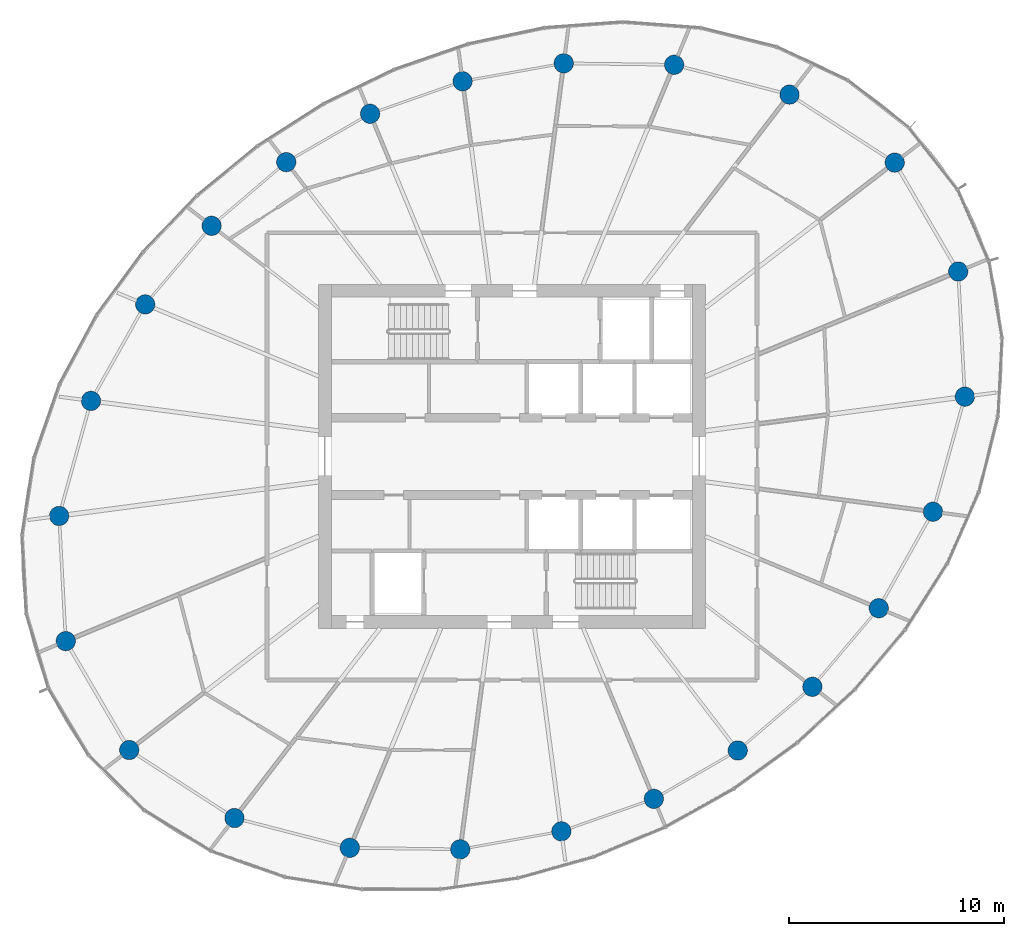
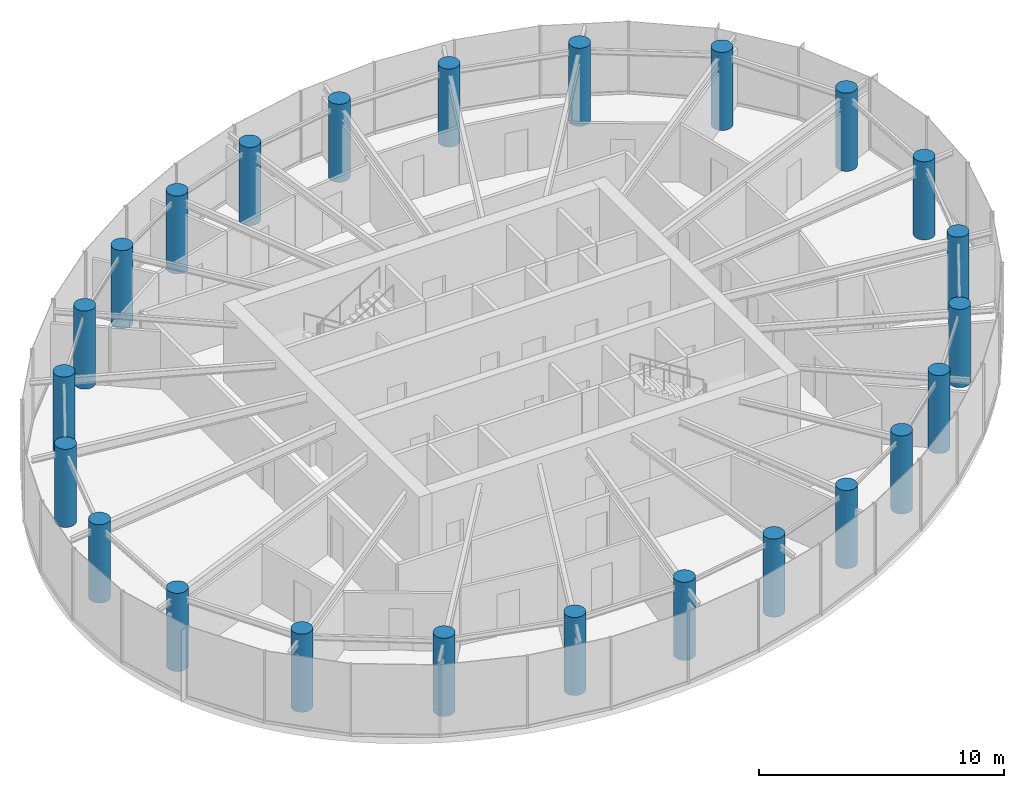
# One storey, part 1 of 14: 24 columns.
"""IFC4 building model written with IfcOpenShell, lengths in metres."""

from ifc_helpers import new_model, si_unit, direction, frame, origin, origin_2d, place, context, subcontext, project, spatial, circle, extrude, source, transform, mapped, material, material_profile, profile_set, type_object, element, save


model = new_model("IFC4")

# Units and contexts
model_context = context("Model", 3, precision=1e-05, world=origin(), true_north=direction((0.0, 1.0)))
body_context = subcontext(model_context, "Body", "Model", "MODEL_VIEW")
ifc_project = project(units=[si_unit("LENGTHUNIT", "METRE"), si_unit("AREAUNIT", "SQUARE_METRE"), si_unit("VOLUMEUNIT", "CUBIC_METRE"), si_unit("PLANEANGLEUNIT", "RADIAN"), si_unit("MASSUNIT", "GRAM", prefix="KILO")], contexts=[model_context])

# Site, building, storey
site_placement = place(None, origin())
site = spatial("IfcSite", under=ifc_project, at=site_placement, CompositionType="ELEMENT")
building_placement = place(site_placement, origin())
building = spatial("IfcBuilding", under=site, at=building_placement, Name="Spindrift Exchange Tower", CompositionType="ELEMENT")
storey_placement = place(building_placement, frame((0.0, 0.0, 203.300048828125)))
storey = spatial("IfcBuildingStorey", under=building, at=storey_placement, Name="L49", CompositionType="ELEMENT", Elevation=203.300048828125)

# Columns
ifc_material = material(Name="Concrete 50 MPa", Category="concrete")
ifc_material_profile = material_profile(ifc_material, circle(Radius=0.449951171875, at=origin_2d()), Name="RC D900")
ifc_profile_set = profile_set([ifc_material_profile], Name="Concrete 50 MPa")
column_type = type_object("IfcColumnType", Name="RC Perimeter Column D900 Concrete 50 MPa", PredefinedType="COLUMN", material=ifc_profile_set)
shared_shape = source(origin(), body_context, "Body", "SweptSolid", [
    extrude(circle(Radius=0.449951171875, at=origin_2d()), origin(), (0.0, 0.0, 1.0), 3.89990234375),
])
for number, where, z_axis, x_axis, name in (
    (1, (73.062255859375, 50.77294921875, 0.0), (0.0, 0.0, 1.0), (1.0, 0.0, 0.0), "Perimeter column P4-01 L49"),
    (2, (72.753173828125, 56.59619140625, 0.0), (0.0, 0.0, 1.0), (1.0, 0.0, 0.0), "Perimeter column P4-02 L49"),
    (3, (69.802001953125, 61.659912109375, 0.0), (0.0, 0.0, 1.0), (1.0, 0.0, 0.0), "Perimeter column P4-03 L49"),
    (4, (64.90869140625, 64.822998046875, 0.0), (0.0, 0.0, 1.0), (1.0, 0.0, 0.0), "Perimeter column P4-04 L49"),
    (5, (59.542724609375, 66.209716796875, 0.0), (0.0, 0.0, 1.0), (1.0, 0.0, 0.0), "Perimeter column P4-05 L49"),
    (6, (54.406494140625, 66.2783203125, 0.0), (0.0, 0.0, 1.0), (1.0, 0.0, 0.0), "Perimeter column P4-06 L49"),
    (7, (49.70361328125, 65.4423828125, 0.0), (0.0, 0.0, 1.0), (1.0, 0.0, 0.0), "Perimeter column P4-07 L49"),
    (8, (45.40087890625, 63.931396484375, 0.0), (0.0, 0.0, 1.0), (1.0, 0.0, 0.0), "Perimeter column P4-08 L49"),
    (9, (41.500732421875, 61.68310546875, 0.0), (0.0, 0.0, 1.0), (1.0, 0.0, 0.0), "Perimeter column P4-09 L49"),
    (10, (38.029052734375, 58.72021484375, 0.0), (0.0, 0.0, 1.0), (1.0, 0.0, 0.0), "Perimeter column P4-10 L49"),
    (11, (34.940673828125, 55.066162109375, 0.0), (0.0, 0.0, 1.0), (1.0, 0.0, 0.0), "Perimeter column P4-11 L49"),
    (12, (32.4189453125, 50.577880859375, 0.0), (0.0, 0.0, 1.0), (1.0, 0.0, 0.0), "Perimeter column P4-12 L49"),
    (13, (30.937744140625, 45.22705078125, 0.0), (0.0, 0.0, 1.0), (1.0, 0.0, 0.0), "Perimeter column P4-13 L49"),
    (14, (31.246826171875, 39.40380859375, 0.0), (0.0, 0.0, 1.0), (1.0, 0.0, 0.0), "Perimeter column P4-14 L49"),
    (15, (34.197998046875, 34.340087890625, 0.0), (0.0, 0.0, 1.0), (1.0, 0.0, 0.0), "Perimeter column P4-15 L49"),
    (16, (39.09130859375, 31.177001953125, 0.0), (0.0, 0.0, 1.0), (1.0, 0.0, 0.0), "Perimeter column P4-16 L49"),
    (17, (44.457275390625, 29.790283203125, 0.0), (0.0, 0.0, 1.0), (1.0, 0.0, 0.0), "Perimeter column P4-17 L49"),
    (18, (49.593505859375, 29.7216796875, 0.0), (0.0, 0.0, 1.0), (1.0, 0.0, 0.0), "Perimeter column P4-18 L49"),
    (19, (54.29638671875, 30.5576171875, 0.0), (0.0, 0.0, 1.0), (1.0, 0.0, 0.0), "Perimeter column P4-19 L49"),
    (20, (58.59912109375, 32.068603515625, 0.0), (0.0, 0.0, 1.0), (1.0, 0.0, 0.0), "Perimeter column P4-20 L49"),
    (21, (62.499267578125, 34.31689453125, 0.0), (0.0, 0.0, 1.0), (1.0, 0.0, 0.0), "Perimeter column P4-21 L49"),
    (22, (65.970947265625, 37.27978515625, 0.0), (0.0, 0.0, 1.0), (1.0, 0.0, 0.0), "Perimeter column P4-22 L49"),
    (23, (69.059326171875, 40.933837890625, 0.0), (0.0, 0.0, 1.0), (1.0, 0.0, 0.0), "Perimeter column P4-23 L49"),
    (24, (71.5810546875, 45.422119140625, 0.0), (0.0, 0.0, 1.0), (1.0, 0.0, 0.0), "Perimeter column P4-24 L49"),
):
    element("IfcColumn", number, at=place(storey_placement, frame(where, z_axis=z_axis, x_axis=x_axis)), inside=storey, type_object=column_type, Name=name, PredefinedType="COLUMN", context=body_context, shape_type="MappedRepresentation", body=[
        mapped(shared_shape, transform((0.0, 0.0, 0.0), scale=1.0)),
    ])

save(model, "model.ifc")
